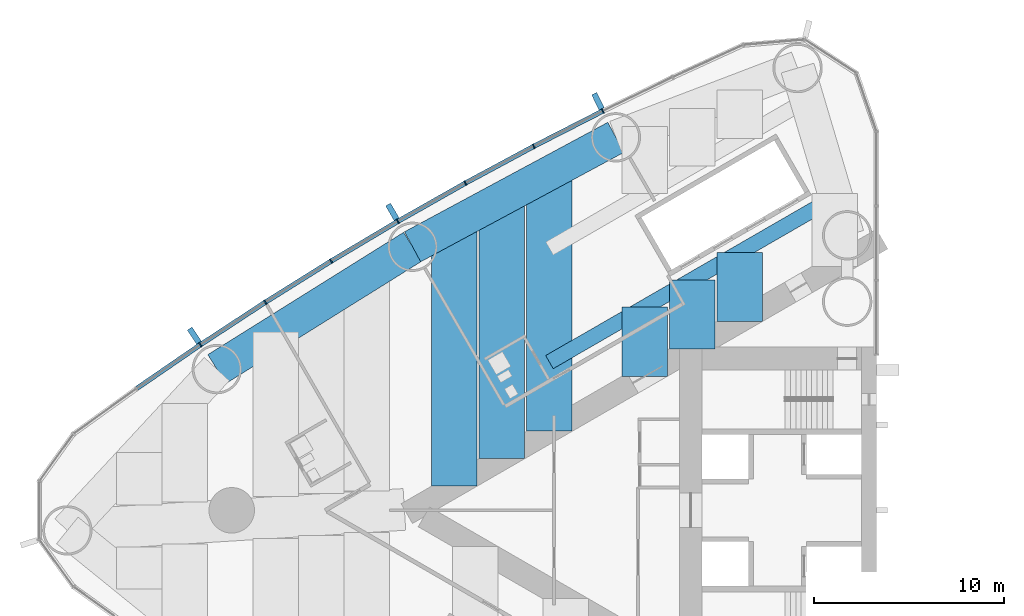
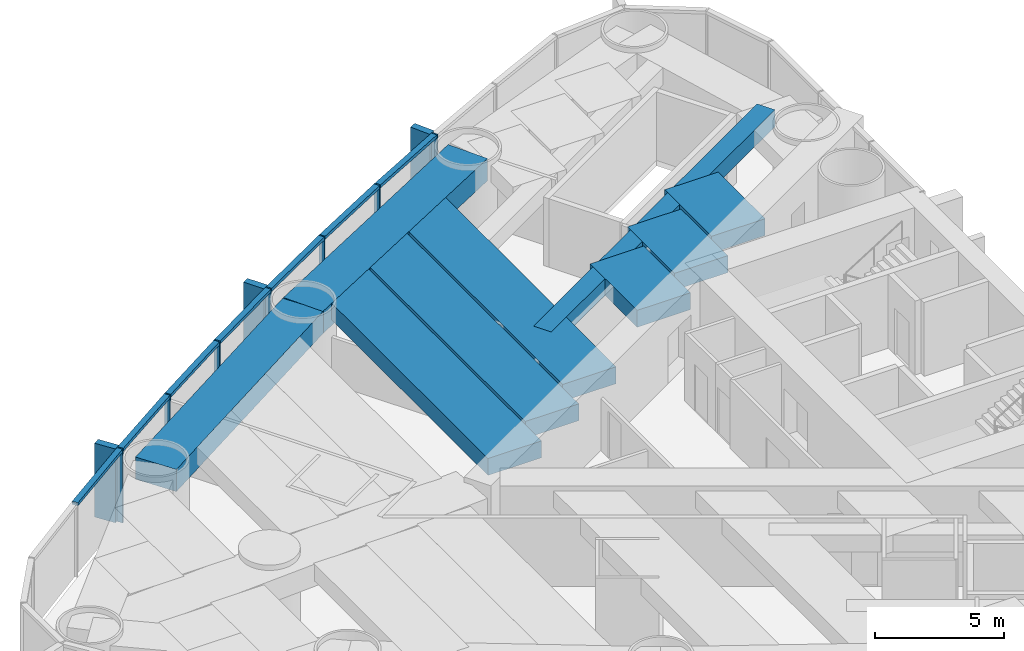
# One storey, part 4 of 18: 17 members, 9 beams, 1 element without a shape of its own.
"""IFC4 building model written with IfcOpenShell, lengths in metres."""

import ifcopenshell
import ifcopenshell.guid

model = None  # the IFC model being written
_history = None  # IfcOwnerHistory: only IFC2X3 demands one
_inside = {}  # id of a spatial element -> (the spatial element, [elements in it])
_under = {}  # id of a project, library or spatial element -> (it, [spatial elements below it])
_declared = {}  # id of a project -> (the project, [libraries it declares])
_typed = {}  # id of a type object -> (the type object, [elements of that type])
_made_of = {}  # id of a material, layer set ... -> (it, [elements and type objects made of it])


def new_model(schema):
    """Start an empty IFC model of exactly this schema.

    Asked for "IFC4X3", IfcOpenShell would pick the latest addendum, in which some entities
    have other attributes; the version numbers below select the first issue.
    IFC2X3 requires an IfcOwnerHistory on every rooted entity: one is made here for all.
    """
    global model, _history
    if schema == "IFC4X3":
        model = ifcopenshell.file(schema_version=(4, 3, 0, 0))
    else:
        model = ifcopenshell.file(schema=schema)
    _inside.clear()
    _under.clear()
    _declared.clear()
    _typed.clear()
    _made_of.clear()
    _history = None
    if model.schema == "IFC2X3":
        org = make("IfcOrganization", Name="unknown")
        user = make(
            "IfcPersonAndOrganization",
            ThePerson=make("IfcPerson", FamilyName="unknown"),
            TheOrganization=org,
        )
        app = make(
            "IfcApplication",
            ApplicationDeveloper=org,
            Version="unknown",
            ApplicationFullName="unknown",
            ApplicationIdentifier="unknown",
        )
        _history = make(
            "IfcOwnerHistory",
            OwningUser=user,
            OwningApplication=app,
            ChangeAction="ADDED",
            CreationDate=0,
        )
    return model


def make(cls, **values):
    """One entity of the class cls with the attributes given. An attribute that is None is left unset."""
    return model.create_entity(
        cls, **{name: value for name, value in values.items() if value is not None}
    )


def rooted(cls, **values):
    """An entity with a GlobalId (a new one), such as an element, a storey or a relation."""
    return make(cls, GlobalId=ifcopenshell.guid.new(), OwnerHistory=_history, **values)


def si_unit(unit_type, name, prefix=None):
    """IfcSIUnit, for example si_unit("LENGTHUNIT", "METRE", prefix="MILLI")."""
    return make("IfcSIUnit", UnitType=unit_type, Prefix=prefix, Name=name)


def assignment(units):
    """IfcUnitAssignment: the units of a project."""
    return None if units is None else make("IfcUnitAssignment", Units=units)


def point(xyz):
    """IfcCartesianPoint."""
    return None if xyz is None else make("IfcCartesianPoint", Coordinates=xyz)


def direction(xyz):
    """IfcDirection."""
    return None if xyz is None else make("IfcDirection", DirectionRatios=xyz)


def frame(location, z_axis=None, x_axis=None):
    """IfcAxis2Placement3D, a coordinate frame: its origin and axes. An axis left out is left unset."""
    return make(
        "IfcAxis2Placement3D",
        Location=point(location),
        Axis=direction(z_axis),
        RefDirection=direction(x_axis),
    )


def frame_2d(location, x_axis=None):
    """IfcAxis2Placement2D, a coordinate frame in the plane: its origin and x axis."""
    return make(
        "IfcAxis2Placement2D", Location=point(location), RefDirection=direction(x_axis)
    )


def origin():
    """The frame at (0, 0, 0) with its axes left unset."""
    return frame((0.0, 0.0, 0.0))


def origin_2d():
    """The frame at (0, 0) in the plane with its x axis left unset."""
    return frame_2d((0.0, 0.0))


def place(relative_to, where):
    """IfcLocalPlacement: puts the frame where relative to a parent placement (None: the world)."""
    return make(
        "IfcLocalPlacement", PlacementRelTo=relative_to, RelativePlacement=where
    )


def context(
    kind, dimensions, precision=None, world=None, true_north=None, identifier=None
):
    """IfcGeometricRepresentationContext, for example the 3D "Model" context."""
    return make(
        "IfcGeometricRepresentationContext",
        ContextIdentifier=identifier,
        ContextType=kind,
        CoordinateSpaceDimension=dimensions,
        Precision=precision,
        WorldCoordinateSystem=world,
        TrueNorth=true_north,
    )


def subcontext(parent, identifier, kind, view, scale=None):
    """IfcGeometricRepresentationSubContext, for example "Body" below "Model"."""
    return make(
        "IfcGeometricRepresentationSubContext",
        ContextIdentifier=identifier,
        ContextType=kind,
        ParentContext=parent,
        TargetScale=scale,
        TargetView=view,
    )


def project(units=None, contexts=None):
    """IfcProject with its units and contexts."""
    return rooted(
        "IfcProject",
        Name="project",
        RepresentationContexts=contexts,
        UnitsInContext=assignment(units),
    )


def spatial(cls, under=None, at=None, **own):
    """A site, building, storey or space (cls), placed at a placement, below another one or the project."""
    s = rooted(cls, ObjectPlacement=at, **own)
    if under is not None:
        _under.setdefault(under.id(), (under, []))[1].append(s)
    return s


def profile(cls, at=None, kind="AREA", **sizes):
    """A parametric profile (cls). Its sizes go by their IFC names, for example OverallWidth=200.0."""
    return make(cls, ProfileType=kind, Position=at, **sizes)


def rectangle(**sizes):
    """IfcRectangleProfileDef."""
    return profile("IfcRectangleProfileDef", **sizes)


def hollow_rectangle(**sizes):
    """IfcRectangleHollowProfileDef."""
    return profile("IfcRectangleHollowProfileDef", **sizes)


def extrude(swept, where, along, depth):
    """IfcExtrudedAreaSolid: the profile swept, set in the frame where, extruded along a direction by depth."""
    return make(
        "IfcExtrudedAreaSolid",
        SweptArea=swept,
        Position=where,
        ExtrudedDirection=direction(along),
        Depth=depth,
    )


def shape(context_of_items, identifier, shape_type, items):
    """IfcShapeRepresentation: the items that make up one representation, for example the "Body"."""
    return make(
        "IfcShapeRepresentation",
        ContextOfItems=context_of_items,
        RepresentationIdentifier=identifier,
        RepresentationType=shape_type,
        Items=items,
    )


def material(Name=None, Category=None):
    """IfcMaterial."""
    return make("IfcMaterial", Name=Name, Category=Category)


def material_profile(
    of_material, cross_section, Name=None, Category=None, Priority=None
):
    """IfcMaterialProfile: a cross section and its material."""
    return make(
        "IfcMaterialProfile",
        Name=Name,
        Material=of_material,
        Profile=cross_section,
        Priority=Priority,
        Category=Category,
    )


def profile_set(profiles, Name=None, composite=None):
    """IfcMaterialProfileSet."""
    return make(
        "IfcMaterialProfileSet",
        Name=Name,
        MaterialProfiles=profiles,
        CompositeProfile=composite,
    )


def made_of(thing, what):
    """Note that an element or type object is made of a material, layer set ...; save() writes the relation."""
    if what is not None:
        _made_of.setdefault(what.id(), (what, []))[1].append(thing)
    return thing


def type_object(cls, material=None, **own):
    """A type object (cls), such as IfcWallType, which elements share."""
    return made_of(rooted(cls, **own), material)


def element(
    cls,
    number,
    at=None,
    inside=None,
    cuts=None,
    type_object=None,
    material=None,
    context=None,
    identifier="Body",
    shape_type=None,
    held_by="IfcProductDefinitionShape",
    body=None,
    shapes=None,
    **own,
):
    """One element of the class cls, such as IfcWall. Its Tag is "e" and its number.

    at: its placement. inside: the storey or other place that contains it. cuts: it is an
    opening in that element (IfcRelVoidsElement). A single representation is given by context,
    identifier, shape_type and body (its items); several are given by shapes. held_by: the class
    of the entity that holds the representations. save() writes the other relations.
    """
    e = rooted(cls, Tag="e%d" % number, ObjectPlacement=at, **own)
    if body is not None:
        shapes = [shape(context, identifier, shape_type, body)]
    if shapes is not None:
        e.Representation = make(held_by, Representations=shapes)
    if inside is not None:
        _inside.setdefault(inside.id(), (inside, []))[1].append(e)
    if cuts is not None:
        rooted(
            "IfcRelVoidsElement", RelatingBuildingElement=cuts, RelatedOpeningElement=e
        )
    if type_object is not None:
        _typed.setdefault(type_object.id(), (type_object, []))[1].append(e)
    return made_of(e, material)


def aggregate(whole, parts):
    """IfcRelAggregates: a whole, such as a stair, and the parts it consists of."""
    return rooted("IfcRelAggregates", RelatingObject=whole, RelatedObjects=parts)


def save(model, path):
    """Write the relations noted so far, then the file.

    IfcRelAggregates (storeys below a building ...), IfcRelContainedInSpatialStructure (elements
    in a storey), IfcRelDefinesByType, IfcRelAssociatesMaterial and IfcRelDeclares: one each for
    every whole, place, type object, material and project.
    """
    for whole, parts in _under.values():
        aggregate(whole, parts)
    for where, things in _inside.values():
        rooted(
            "IfcRelContainedInSpatialStructure",
            RelatedElements=things,
            RelatingStructure=where,
        )
    for kind, things in _typed.values():
        rooted("IfcRelDefinesByType", RelatedObjects=things, RelatingType=kind)
    for what, things in _made_of.values():
        rooted("IfcRelAssociatesMaterial", RelatedObjects=things, RelatingMaterial=what)
    for by, libraries in _declared.values():
        rooted("IfcRelDeclares", RelatingContext=by, RelatedDefinitions=libraries)
    model.write(path)


model = new_model("IFC4")

# Units and contexts
model_context = context("Model", 3, precision=1e-05, world=origin(), true_north=direction((0.0, 1.0)))
body_context = subcontext(model_context, "Body", "Model", "MODEL_VIEW")
ifc_project = project(units=[si_unit("LENGTHUNIT", "METRE"), si_unit("AREAUNIT", "SQUARE_METRE"), si_unit("VOLUMEUNIT", "CUBIC_METRE"), si_unit("PLANEANGLEUNIT", "RADIAN"), si_unit("MASSUNIT", "GRAM", prefix="KILO")], contexts=[model_context])

# Site, building, storey
site_placement = place(None, origin())
site = spatial("IfcSite", under=ifc_project, at=site_placement, CompositionType="ELEMENT")
building_placement = place(site_placement, origin())
building = spatial("IfcBuilding", under=site, at=building_placement, Name="Lancet Gate Hotel", CompositionType="ELEMENT")
storey_placement = place(building_placement, frame((0.0, 0.0, 125.60009765625)))
storey = spatial("IfcBuildingStorey", under=building, at=storey_placement, Name="L33", CompositionType="ELEMENT", Elevation=125.60009765625)

# Curtain wall, members
ifc_material_1 = material(Name="Aluminium curtain wall", Category="aluminium")
curtain_wall_type = type_object("IfcCurtainWallType", Name="Tower unitised curtain wall", PredefinedType="USERDEFINED", material=ifc_material_1)
curtain_wall_placement = place(storey_placement, origin())
curtain_wall = element("IfcCurtainWall", 1, at=curtain_wall_placement, inside=storey, type_object=curtain_wall_type, Name="T1 L33 curtain wall 1", ObjectType="UNITISED CURTAIN WALL", PredefinedType="USERDEFINED")
ifc_material_2 = material(Name="Aluminium mullion", Category="aluminium")
ifc_material_profile_1 = material_profile(ifc_material_2, rectangle(XDim=0.06494140625, YDim=0.25, at=origin_2d()), Name="MULLION 65x250")
ifc_profile_set_1 = profile_set([ifc_material_profile_1], Name="Aluminium mullion")
member_type_1 = type_object("IfcMemberType", Name="Aluminium mullion 65x250", PredefinedType="MULLION", material=ifc_profile_set_1)
member_1_placement = place(storey_placement, frame((-41.935302734375, 21.053466796875, 0.0), z_axis=(0.0, 0.0, 1.0), x_axis=(-0.895339445458, -0.445384415317, 0.0)))
member_1 = element("IfcMember", 2, at=member_1_placement, type_object=member_type_1, Name="T1 L33 curtain wall 1 mullion 9", PredefinedType="MULLION", context=body_context, shape_type="SweptSolid", body=[
    extrude(rectangle(XDim=0.06494140625, YDim=0.25, at=origin_2d()), origin(), (0.0, 0.0, 1.0), 3.5),
])
member_2_placement = place(storey_placement, frame((-45.578857421875, 19.19189453125, 0.0), z_axis=(0.0, 0.0, 1.0), x_axis=(-0.885544335517, -0.46455487279, 0.0)))
member_2 = element("IfcMember", 3, at=member_2_placement, type_object=member_type_1, Name="T1 L33 curtain wall 1 mullion 10", PredefinedType="MULLION", context=body_context, shape_type="SweptSolid", body=[
    extrude(rectangle(XDim=0.06494140625, YDim=0.25, at=origin_2d()), origin(), (0.0, 0.0, 1.0), 3.5),
])
member_3_placement = place(storey_placement, frame((-49.181640625, 17.252197265625, 0.0), z_axis=(0.0, 0.0, 1.0), x_axis=(-0.875338819507, -0.48351003202, 0.0)))
member_3 = element("IfcMember", 4, at=member_3_placement, type_object=member_type_1, Name="T1 L33 curtain wall 1 mullion 11", PredefinedType="MULLION", context=body_context, shape_type="SweptSolid", body=[
    extrude(rectangle(XDim=0.06494140625, YDim=0.25, at=origin_2d()), origin(), (0.0, 0.0, 1.0), 3.5),
])
member_4_placement = place(storey_placement, frame((-52.74169921875, 15.2353515625, 0.0), z_axis=(0.0, 0.0, 1.0), x_axis=(-0.86472762718, -0.502241108226, 0.0)))
member_4 = element("IfcMember", 5, at=member_4_placement, type_object=member_type_1, Name="T1 L33 curtain wall 1 mullion 12", PredefinedType="MULLION", context=body_context, shape_type="SweptSolid", body=[
    extrude(rectangle(XDim=0.06494140625, YDim=0.25, at=origin_2d()), origin(), (0.0, 0.0, 1.0), 3.5),
])
member_5_placement = place(storey_placement, frame((-56.257568359375, 13.142333984375, 0.0), z_axis=(0.0, 0.0, 1.0), x_axis=(-0.853715676299, -0.52073942048, 0.0)))
member_5 = element("IfcMember", 6, at=member_5_placement, type_object=member_type_1, Name="T1 L33 curtain wall 1 mullion 13", PredefinedType="MULLION", context=body_context, shape_type="SweptSolid", body=[
    extrude(rectangle(XDim=0.06494140625, YDim=0.25, at=origin_2d()), origin(), (0.0, 0.0, 1.0), 3.5),
])
member_6_placement = place(storey_placement, frame((-59.7275390625, 10.974365234375, 0.0), z_axis=(0.0, 0.0, 1.0), x_axis=(-0.84230807036, -0.538996395727, 0.0)))
member_6 = element("IfcMember", 7, at=member_6_placement, type_object=member_type_1, Name="T1 L33 curtain wall 1 mullion 14", PredefinedType="MULLION", context=body_context, shape_type="SweptSolid", body=[
    extrude(rectangle(XDim=0.06494140625, YDim=0.25, at=origin_2d()), origin(), (0.0, 0.0, 1.0), 3.5),
])
member_7_placement = place(storey_placement, frame((-63.14990234375, 8.73193359375, 0.0), z_axis=(0.0, 0.0, 1.0), x_axis=(-0.830510096234, -0.557003572747, 0.0)))
member_7 = element("IfcMember", 8, at=member_7_placement, type_object=member_type_1, Name="T1 L33 curtain wall 1 mullion 15", PredefinedType="MULLION", context=body_context, shape_type="SweptSolid", body=[
    extrude(rectangle(XDim=0.06494140625, YDim=0.25, at=origin_2d()), origin(), (0.0, 0.0, 1.0), 3.5),
])
ifc_material_3 = material(Name="Aluminium transom", Category="aluminium")
ifc_material_profile_2 = material_profile(ifc_material_3, rectangle(XDim=0.25, YDim=0.14990234375, at=origin_2d()), Name="TRANSOM 250x150")
ifc_profile_set_2 = profile_set([ifc_material_profile_2], Name="Aluminium transom")
member_type_2 = type_object("IfcMemberType", Name="Aluminium transom 250x150", PredefinedType="USERDEFINED", material=ifc_profile_set_2)
member_8_placement = place(storey_placement, frame((-41.96435546875, 21.038818359375, 3.4248046875), z_axis=(-0.89047617483, -0.455029869415, 0.0), x_axis=(0.455029869415, -0.89047617483, 0.0)))
member_8 = element("IfcMember", 9, at=member_8_placement, type_object=member_type_2, Name="T1 L33 curtain wall 1 transom 9", ObjectType="TRANSOM", PredefinedType="USERDEFINED", context=body_context, shape_type="SweptSolid", body=[
    extrude(rectangle(XDim=0.25, YDim=0.14990234375, at=origin_2d()), origin(), (0.0, 0.0, 1.0), 4.026611328125),
])
member_9_placement = place(storey_placement, frame((-45.607421875, 19.176513671875, 3.4248046875), z_axis=(-0.880498353192, -0.474049206335, 0.0), x_axis=(0.474049206335, -0.880498353192, 0.0)))
member_9 = element("IfcMember", 10, at=member_9_placement, type_object=member_type_2, Name="T1 L33 curtain wall 1 transom 10", ObjectType="TRANSOM", PredefinedType="USERDEFINED", context=body_context, shape_type="SweptSolid", body=[
    extrude(rectangle(XDim=0.25, YDim=0.14990234375, at=origin_2d()), origin(), (0.0, 0.0, 1.0), 4.02685546875),
])
member_10_placement = place(storey_placement, frame((-49.2099609375, 17.236083984375, 3.4248046875), z_axis=(-0.870091531013, -0.492890178091, 0.0), x_axis=(0.492890178091, -0.870091531013, 0.0)))
member_10 = element("IfcMember", 11, at=member_10_placement, type_object=member_type_2, Name="T1 L33 curtain wall 1 transom 11", ObjectType="TRANSOM", PredefinedType="USERDEFINED", context=body_context, shape_type="SweptSolid", body=[
    extrude(rectangle(XDim=0.25, YDim=0.14990234375, at=origin_2d()), origin(), (0.0, 0.0, 1.0), 4.026611328125),
])
member_11_placement = place(storey_placement, frame((-52.76953125, 15.21875, 3.4248046875), z_axis=(-0.859285270342, -0.511496651186, 0.0), x_axis=(0.511496651186, -0.859285270342, 0.0)))
member_11 = element("IfcMember", 12, at=member_11_placement, type_object=member_type_2, Name="T1 L33 curtain wall 1 transom 12", ObjectType="TRANSOM", PredefinedType="USERDEFINED", context=body_context, shape_type="SweptSolid", body=[
    extrude(rectangle(XDim=0.25, YDim=0.14990234375, at=origin_2d()), origin(), (0.0, 0.0, 1.0), 4.026611328125),
])
member_12_placement = place(storey_placement, frame((-56.28515625, 13.125244140625, 3.4248046875), z_axis=(-0.848049393821, -0.529917187531, 0.0), x_axis=(0.529917187531, -0.848049393821, 0.0)))
member_12 = element("IfcMember", 13, at=member_12_placement, type_object=member_type_2, Name="T1 L33 curtain wall 1 transom 13", ObjectType="TRANSOM", PredefinedType="USERDEFINED", context=body_context, shape_type="SweptSolid", body=[
    extrude(rectangle(XDim=0.25, YDim=0.14990234375, at=origin_2d()), origin(), (0.0, 0.0, 1.0), 4.026611328125),
])
member_13_placement = place(storey_placement, frame((-59.754638671875, 10.95654296875, 3.4248046875), z_axis=(-0.83645442085, -0.548036496815, 0.0), x_axis=(0.548036496815, -0.83645442085, 0.0)))
member_13 = element("IfcMember", 14, at=member_13_placement, type_object=member_type_2, Name="T1 L33 curtain wall 1 transom 14", ObjectType="TRANSOM", PredefinedType="USERDEFINED", context=body_context, shape_type="SweptSolid", body=[
    extrude(rectangle(XDim=0.25, YDim=0.14990234375, at=origin_2d()), origin(), (0.0, 0.0, 1.0), 4.026611328125),
])
member_14_placement = place(storey_placement, frame((-63.1767578125, 8.713623046875, 3.4248046875), z_axis=(-0.824455665247, -0.565926546508, 0.0), x_axis=(0.565926546508, -0.824455665247, 0.0)))
member_14 = element("IfcMember", 15, at=member_14_placement, type_object=member_type_2, Name="T1 L33 curtain wall 1 transom 15", ObjectType="TRANSOM", PredefinedType="USERDEFINED", context=body_context, shape_type="SweptSolid", body=[
    extrude(rectangle(XDim=0.25, YDim=0.14990234375, at=origin_2d()), origin(), (0.0, 0.0, 1.0), 4.026611328125),
])

# Beams
ifc_material_4 = material(Name="Concrete C50/60", Category="concrete")
ifc_material_profile_3 = material_profile(ifc_material_4, rectangle(XDim=1.800048828125, YDim=1.050048828125, at=origin_2d()), Name="RC 1800x1050")
ifc_profile_set_3 = profile_set([ifc_material_profile_3], Name="Concrete C50/60")
beam_type_1 = type_object("IfcBeamType", Name="Edge beam RC 1800x1050", PredefinedType="SPANDREL", material=ifc_profile_set_3)
for number, where, z_axis, x_axis, name in (
    (16, (-41.244873046875, 19.665771484375, 2.724853515625), (-0.880492350889, -0.474060354835, 0.0), (0.474060354835, -0.880492350889, 0.0), "T1 edge beam EB1 L33"),
    (17, (-51.963134765625, 13.89501953125, 2.724853515625), (-0.848062521637, -0.529896177939, 0.0), (0.529896177939, -0.848062521637, 0.0), "T1 edge beam EB1 L33"),
):
    element("IfcBeam", number, at=place(storey_placement, frame(where, z_axis=z_axis, x_axis=x_axis)), inside=storey, type_object=beam_type_1, Name=name, PredefinedType="SPANDREL", context=body_context, shape_type="SweptSolid", body=[
        extrude(rectangle(XDim=1.800048828125, YDim=1.050048828125, at=origin_2d()), origin(), (0.0, 0.0, 1.0), 12.173095703125),
    ])

# Member
ifc_material_5 = material(Name="Precast concrete C50/60", Category="concrete")
ifc_material_profile_4 = material_profile(ifc_material_5, rectangle(XDim=0.300048828125, YDim=0.89990234375, at=origin_2d()), Name="FIN 300x900")
ifc_profile_set_4 = profile_set([ifc_material_profile_4], Name="Precast concrete C50/60")
member_type_3 = type_object("IfcMemberType", Name="Exposed concrete fin 300x900", PredefinedType="USERDEFINED", material=ifc_profile_set_4)
member_15_placement = place(storey_placement, frame((-42.19140625, 21.568359375, 0.0), z_axis=(0.0, 0.0, 1.0), x_axis=(-0.895339445458, -0.445384415317, 0.0)))
member_15 = element("IfcMember", 18, at=member_15_placement, type_object=member_type_3, Name="T1 L33 curtain wall 1 fin 9", ObjectType="FIN", PredefinedType="USERDEFINED", context=body_context, shape_type="SweptSolid", body=[
    extrude(rectangle(XDim=0.300048828125, YDim=0.89990234375, at=origin_2d()), origin(), (0.0, 0.0, 1.0), 3.5),
])

member_16_placement = place(storey_placement, frame((-53.030517578125, 15.732666015625, 0.0), z_axis=(0.0, 0.0, 1.0), x_axis=(-0.86472762718, -0.502241108226, 0.0)))
member_16 = element("IfcMember", 19, at=member_16_placement, type_object=member_type_3, Name="T1 L33 curtain wall 1 fin 12", ObjectType="FIN", PredefinedType="USERDEFINED", context=body_context, shape_type="SweptSolid", body=[
    extrude(rectangle(XDim=0.300048828125, YDim=0.89990234375, at=origin_2d()), origin(), (0.0, 0.0, 1.0), 3.5),
])

member_17_placement = place(storey_placement, frame((-63.47021484375, 9.20947265625, 0.0), z_axis=(0.0, 0.0, 1.0), x_axis=(-0.830510096234, -0.557003572747, 0.0)))
member_17 = element("IfcMember", 20, at=member_17_placement, type_object=member_type_3, Name="T1 L33 curtain wall 1 fin 15", ObjectType="FIN", PredefinedType="USERDEFINED", context=body_context, shape_type="SweptSolid", body=[
    extrude(rectangle(XDim=0.300048828125, YDim=0.89990234375, at=origin_2d()), origin(), (0.0, 0.0, 1.0), 3.5),
])

aggregate(curtain_wall, [member_1, member_15, member_2, member_3, member_4, member_16, member_5, member_6, member_7, member_17, member_8, member_9, member_10, member_11, member_12, member_13, member_14])

# Beams
ifc_material_6 = material(Name="Concrete C50/60", Category="concrete")
ifc_material_profile_5 = material_profile(ifc_material_6, rectangle(XDim=2.39990234375, YDim=0.800048828125, at=origin_2d()), Name="RC 2400x800")
ifc_profile_set_5 = profile_set([ifc_material_profile_5], Name="Concrete C50/60")
beam_type_2 = type_object("IfcBeamType", Name="Floor beam RC 2400x800", PredefinedType="BEAM", material=ifc_profile_set_5)
beam_1_placement = place(storey_placement, frame((-44.747802734375, 17.77978515625, 2.849853515625), z_axis=(0.0, -1.0, 0.0), x_axis=(1.0, 0.0, 0.0)))
element("IfcBeam", 21, at=beam_1_placement, inside=storey, type_object=beam_type_2, Name="T1 floor beam F09S L33", PredefinedType="BEAM", context=body_context, shape_type="SweptSolid", body=[
    extrude(rectangle(XDim=2.39990234375, YDim=0.800048828125, at=origin_2d()), origin(), (0.0, 0.0, 1.0), 13.611083984375),
])
beam_2_placement = place(storey_placement, frame((-47.254638671875, 16.43017578125, 2.849853515625), z_axis=(0.0, -1.0, 0.0), x_axis=(1.0, 0.0, 0.0)))
element("IfcBeam", 22, at=beam_2_placement, inside=storey, type_object=beam_type_2, Name="T1 floor beam F10S L33", PredefinedType="BEAM", context=body_context, shape_type="SweptSolid", body=[
    extrude(rectangle(XDim=2.39990234375, YDim=0.800048828125, at=origin_2d()), origin(), (0.0, 0.0, 1.0), 13.708740234375),
])
beam_3_placement = place(storey_placement, frame((-49.761474609375, 15.08056640625, 2.849853515625), z_axis=(0.0, -1.0, 0.0), x_axis=(1.0, 0.0, 0.0)))
element("IfcBeam", 23, at=beam_3_placement, inside=storey, type_object=beam_type_2, Name="T1 floor beam F12S L33", PredefinedType="BEAM", context=body_context, shape_type="SweptSolid", body=[
    extrude(rectangle(XDim=2.39990234375, YDim=0.800048828125, at=origin_2d()), origin(), (0.0, 0.0, 1.0), 13.806396484375),
])
beam_4_placement = place(storey_placement, frame((-34.720458984375, 13.603759765625, 2.849853515625), z_axis=(0.0, -1.0, 0.0), x_axis=(1.0, 0.0, 0.0)))
element("IfcBeam", 24, at=beam_4_placement, inside=storey, type_object=beam_type_2, Name="T1 floor beam F04SB L33", PredefinedType="BEAM", context=body_context, shape_type="SweptSolid", body=[
    extrude(rectangle(XDim=2.39990234375, YDim=0.800048828125, at=origin_2d()), origin(), (0.0, 0.0, 1.0), 3.645751953125),
])
beam_5_placement = place(storey_placement, frame((-37.227294921875, 12.15625, 2.849853515625), z_axis=(0.0, -1.0, 0.0), x_axis=(1.0, 0.0, 0.0)))
element("IfcBeam", 25, at=beam_5_placement, inside=storey, type_object=beam_type_2, Name="T1 floor beam F05SB L33", PredefinedType="BEAM", context=body_context, shape_type="SweptSolid", body=[
    extrude(rectangle(XDim=2.39990234375, YDim=0.800048828125, at=origin_2d()), origin(), (0.0, 0.0, 1.0), 3.6455078125),
])
beam_6_placement = place(storey_placement, frame((-39.734130859375, 10.708740234375, 2.849853515625), z_axis=(0.0, -1.0, 0.0), x_axis=(1.0, 0.0, 0.0)))
element("IfcBeam", 26, at=beam_6_placement, inside=storey, type_object=beam_type_2, Name="T1 floor beam F07SB L33", PredefinedType="BEAM", context=body_context, shape_type="SweptSolid", body=[
    extrude(rectangle(XDim=2.39990234375, YDim=0.800048828125, at=origin_2d()), origin(), (0.0, 0.0, 1.0), 3.645263671875),
])
ifc_material_7 = material(Name="Steel S460QL", Category="steel")
ifc_material_profile_6 = material_profile(ifc_material_7, hollow_rectangle(XDim=0.800048828125, YDim=0.800048828125, WallThickness=0.080078125, at=origin_2d()), Name="BOX 800x800x80")
ifc_profile_set_6 = profile_set([ifc_material_profile_6], Name="Steel S460QL")
beam_type_3 = type_object("IfcBeamType", Name="Trimmer beam BOX 800x800x80", PredefinedType="BEAM", material=ifc_profile_set_6)
beam_7_placement = place(storey_placement, frame((-29.706787109375, 16.49853515625, 2.849853515625), z_axis=(-0.866003462672, -0.500038001195, 0.0), x_axis=(0.500038001195, -0.866003462672, 0.0)))
element("IfcBeam", 27, at=beam_7_placement, inside=storey, type_object=beam_type_3, Name="T1 trimmer beam TR02S L33", PredefinedType="BEAM", context=body_context, shape_type="SweptSolid", body=[
    extrude(hollow_rectangle(XDim=0.800048828125, YDim=0.800048828125, WallThickness=0.080078125, at=origin_2d()), origin(), (0.0, 0.0, 1.0), 17.368408203125),
])

save(model, "model.ifc")
